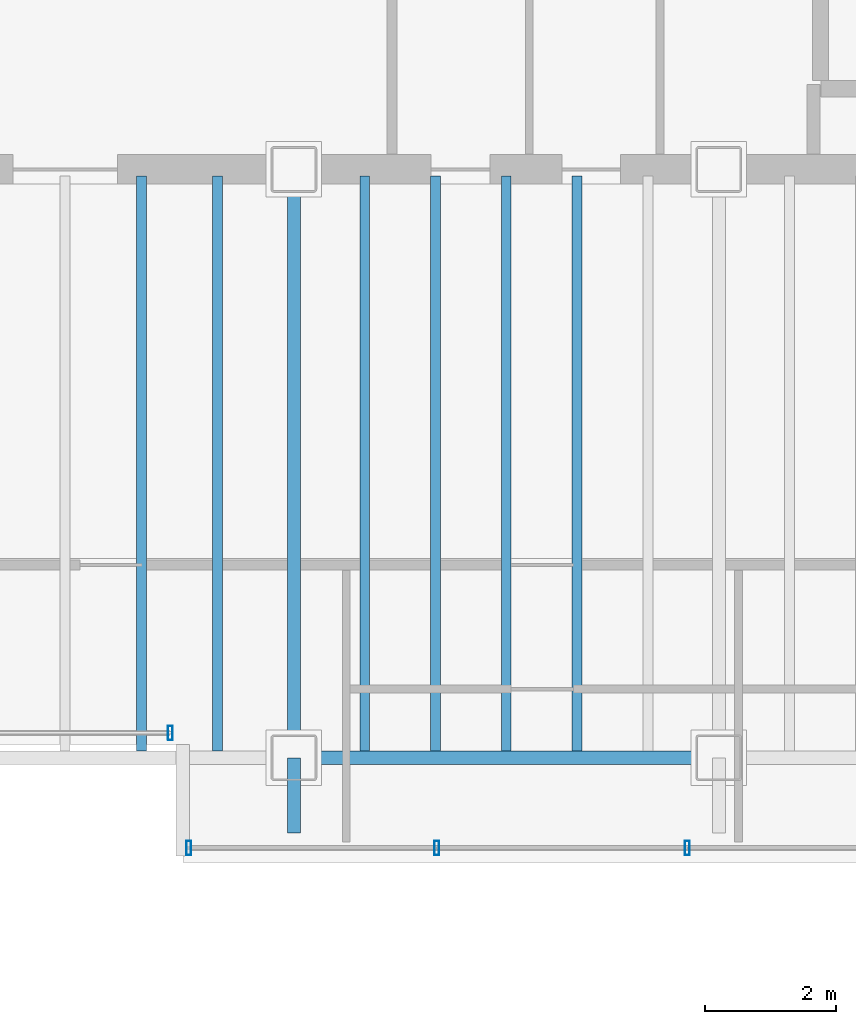
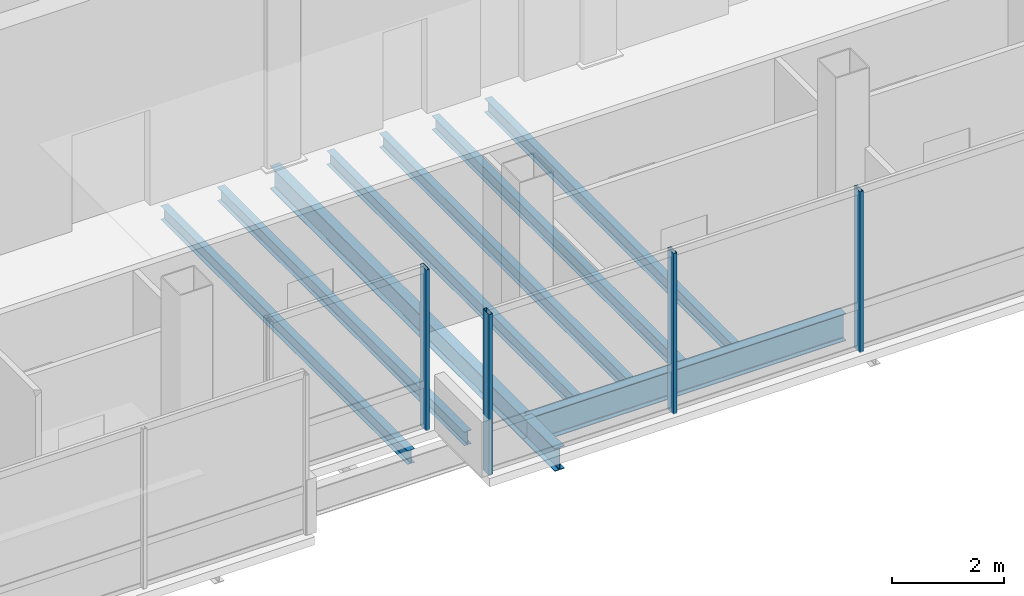
# One storey, part 6 of 17: 9 beams, 4 members, 2 elements without a shape of their own.
"""IFC4 building model written with IfcOpenShell, lengths in metres."""

from ifc_helpers import new_model, si_unit, direction, frame, origin, origin_2d, place, context, subcontext, project, spatial, hollow_rectangle, i_section, extrude, material, material_profile, profile_set, type_object, element, aggregate, save


model = new_model("IFC4")

# Units and contexts
model_context = context("Model", 3, precision=1e-05, world=origin(), true_north=direction((0.0, 1.0)))
body_context = subcontext(model_context, "Body", "Model", "MODEL_VIEW")
ifc_project = project(units=[si_unit("LENGTHUNIT", "METRE"), si_unit("AREAUNIT", "SQUARE_METRE"), si_unit("VOLUMEUNIT", "CUBIC_METRE"), si_unit("PLANEANGLEUNIT", "RADIAN"), si_unit("MASSUNIT", "GRAM", prefix="KILO")], contexts=[model_context])

# Site, building, storey
site_placement = place(None, origin())
site = spatial("IfcSite", under=ifc_project, at=site_placement, CompositionType="ELEMENT")
building_placement = place(site_placement, origin())
building = spatial("IfcBuilding", under=site, at=building_placement, Name="Noeulbin Bourse Tower", CompositionType="ELEMENT")
storey_placement = place(building_placement, frame((0.0, 0.0, 300.800048828125)))
storey = spatial("IfcBuildingStorey", under=building, at=storey_placement, Name="L75", CompositionType="ELEMENT", Elevation=300.800048828125)

# Beams
ifc_material_1 = material(Name="Steel S355", Category="steel")
ifc_material_profile_1 = material_profile(ifc_material_1, i_section(OverallWidth=0.199951171875, OverallDepth=0.5, WebThickness=0.010009765625, FlangeThickness=0.01611328125, FilletRadius=0.02001953125, at=origin_2d()), Name="H-500x200x10x16", Category="LoadBearing")
ifc_profile_set_1 = profile_set([ifc_material_profile_1], Name="Steel S355")
beam_type_1 = type_object("IfcBeamType", Name="BM-GRD-500", PredefinedType="USERDEFINED", material=ifc_profile_set_1)
beam_1_placement = place(storey_placement, frame((31.0, 18.85009765625, -0.429931640625), z_axis=(0.0, 1.0, 0.0), x_axis=(-1.0, 0.0, 0.0)))
element("IfcBeam", 1, at=beam_1_placement, inside=storey, type_object=beam_type_1, Name="Tower Primary Girder NS L75-3.1", ObjectType="GIRDER", PredefinedType="USERDEFINED", context=body_context, shape_type="SweptSolid", body=[
    extrude(i_section(OverallWidth=0.199951171875, OverallDepth=0.5, WebThickness=0.010009765625, FlangeThickness=0.01611328125, FilletRadius=0.02001953125, at=origin_2d()), origin(), (0.0, 0.0, 1.0), 1.14990234375),
])
beam_2_placement = place(storey_placement, frame((31.0, 20.0, -0.429931640625), z_axis=(0.0, 1.0, 0.0), x_axis=(-1.0, 0.0, 0.0)))
element("IfcBeam", 2, at=beam_2_placement, inside=storey, type_object=beam_type_1, Name="Tower Primary Girder NS L75-3.2", ObjectType="GIRDER", PredefinedType="USERDEFINED", context=body_context, shape_type="SweptSolid", body=[
    extrude(i_section(OverallWidth=0.199951171875, OverallDepth=0.5, WebThickness=0.010009765625, FlangeThickness=0.01611328125, FilletRadius=0.02001953125, at=origin_2d()), origin(), (0.0, 0.0, 1.0), 9.0),
])
ifc_material_profile_2 = material_profile(ifc_material_1, i_section(OverallWidth=0.199951171875, OverallDepth=0.60009765625, WebThickness=0.010986328125, FlangeThickness=0.01708984375, FilletRadius=0.02197265625, at=origin_2d()), Name="H-600x200x11x17", Category="LoadBearing")
ifc_profile_set_2 = profile_set([ifc_material_profile_2], Name="Steel S355")
beam_type_2 = type_object("IfcBeamType", Name="BM-GRD-600", PredefinedType="USERDEFINED", material=ifc_profile_set_2)
beam_3_placement = place(storey_placement, frame((31.0, 20.0, -0.47998046875), z_axis=(1.0, 0.0, 0.0), x_axis=(0.0, 1.0, 0.0)))
element("IfcBeam", 3, at=beam_3_placement, inside=storey, type_object=beam_type_2, Name="Tower Primary Girder EW L75-1.2", ObjectType="GIRDER", PredefinedType="USERDEFINED", context=body_context, shape_type="SweptSolid", body=[
    extrude(i_section(OverallWidth=0.199951171875, OverallDepth=0.60009765625, WebThickness=0.010986328125, FlangeThickness=0.01708984375, FilletRadius=0.02197265625, at=origin_2d()), origin(), (0.0, 0.0, 1.0), 6.5),
])
ifc_material_profile_3 = material_profile(ifc_material_1, i_section(OverallWidth=0.14990234375, OverallDepth=0.300048828125, WebThickness=0.006591796875, FlangeThickness=0.009033203125, FilletRadius=0.012939453125, at=origin_2d()), Name="H-300x150x6.5x9", Category="LoadBearing")
ifc_profile_set_3 = profile_set([ifc_material_profile_3], Name="Steel S355")
beam_type_3 = type_object("IfcBeamType", Name="BM-JST-300", PredefinedType="JOIST", material=ifc_profile_set_3)
for number, where, z_axis, x_axis, name in (
    (4, (28.666748046875, 20.10009765625, -0.330078125), (0.0, 1.0, 0.0), (-1.0, 0.0, 0.0), "Tower Composite Joist L75-07"),
    (5, (29.833251953125, 20.10009765625, -0.330078125), (0.0, 1.0, 0.0), (-1.0, 0.0, 0.0), "Tower Composite Joist L75-09"),
    (6, (32.083251953125, 20.10009765625, -0.330078125), (0.0, 1.0, 0.0), (-1.0, 0.0, 0.0), "Tower Composite Joist L75-11"),
    (7, (33.166748046875, 20.10009765625, -0.330078125), (0.0, 1.0, 0.0), (-1.0, 0.0, 0.0), "Tower Composite Joist L75-13"),
    (8, (34.25, 20.10009765625, -0.330078125), (0.0, 1.0, 0.0), (-1.0, 0.0, 0.0), "Tower Composite Joist L75-15"),
    (9, (35.333251953125, 20.10009765625, -0.330078125), (0.0, 1.0, 0.0), (-1.0, 0.0, 0.0), "Tower Composite Joist L75-17"),
):
    element("IfcBeam", number, at=place(storey_placement, frame(where, z_axis=z_axis, x_axis=x_axis)), inside=storey, type_object=beam_type_3, Name=name, PredefinedType="JOIST", context=body_context, shape_type="SweptSolid", body=[
        extrude(i_section(OverallWidth=0.14990234375, OverallDepth=0.300048828125, WebThickness=0.006591796875, FlangeThickness=0.009033203125, FilletRadius=0.012939453125, at=origin_2d()), origin(), (0.0, 0.0, 1.0), 8.7998046875),
    ])

# Curtain wall, member
ifc_material_2 = material(Name="High-Selectivity Low-Iron Glazing", Category="glass")
curtain_wall_type = type_object("IfcCurtainWallType", Name="CW-SYS-4", PredefinedType="NOTDEFINED", material=ifc_material_2)
curtain_wall_1_placement = place(storey_placement, origin())
curtain_wall_1 = element("IfcCurtainWall", 10, at=curtain_wall_1_placement, inside=storey, type_object=curtain_wall_type, Name="Unitised Curtain Wall CW-L75-SREC", PredefinedType="NOTDEFINED")
ifc_material_3 = material(Name="Anodised Aluminium 6063-T6", Category="aluminium")
ifc_material_profile_4 = material_profile(ifc_material_3, hollow_rectangle(XDim=0.074951171875, YDim=0.219970703125, WallThickness=0.0048828125, InnerFilletRadius=0.00244140625, OuterFilletRadius=0.0048828125, at=origin_2d()), Name="ALU-MULL-75x220x5", Category="LoadBearing")
ifc_profile_set_4 = profile_set([ifc_material_profile_4], Name="Anodised Aluminium 6063-T6")
member_type = type_object("IfcMemberType", Name="CW-SYS-4-MUL", PredefinedType="MULLION", material=ifc_profile_set_4)
member_1_placement = place(storey_placement, frame((29.110107421875, 20.3798828125, -0.02001953125), z_axis=(0.0, 0.0, 1.0), x_axis=(1.0, 0.0, 0.0)))
member_1 = element("IfcMember", 11, at=member_1_placement, type_object=member_type, Name="Curtain Wall Mullion CW-L75-SREC-M01", PredefinedType="MULLION", context=body_context, shape_type="SweptSolid", body=[
    extrude(hollow_rectangle(XDim=0.074951171875, YDim=0.219970703125, WallThickness=0.0048828125, InnerFilletRadius=0.00244140625, OuterFilletRadius=0.0048828125, at=origin_2d()), origin(), (0.0, 0.0, 1.0), 3.5),
])
aggregate(curtain_wall_1, [member_1])

# Curtain wall, members
curtain_wall_2_placement = place(storey_placement, origin())
curtain_wall_2 = element("IfcCurtainWall", 12, at=curtain_wall_2_placement, inside=storey, type_object=curtain_wall_type, Name="Unitised Curtain Wall CW-L75-S2", PredefinedType="NOTDEFINED")
member_2_placement = place(storey_placement, frame((29.389892578125, 18.6201171875, -0.02001953125), z_axis=(0.0, 0.0, 1.0), x_axis=(1.0, 0.0, 0.0)))
member_2 = element("IfcMember", 13, at=member_2_placement, type_object=member_type, Name="Curtain Wall Mullion CW-L75-S2-M00", PredefinedType="MULLION", context=body_context, shape_type="SweptSolid", body=[
    extrude(hollow_rectangle(XDim=0.074951171875, YDim=0.219970703125, WallThickness=0.0048828125, InnerFilletRadius=0.00244140625, OuterFilletRadius=0.0048828125, at=origin_2d()), origin(), (0.0, 0.0, 1.0), 3.5),
])
member_3_placement = place(storey_placement, frame((33.18408203125, 18.6201171875, -0.02001953125), z_axis=(0.0, 0.0, 1.0), x_axis=(1.0, 0.0, 0.0)))
member_3 = element("IfcMember", 14, at=member_3_placement, type_object=member_type, Name="Curtain Wall Mullion CW-L75-S2-M01", PredefinedType="MULLION", context=body_context, shape_type="SweptSolid", body=[
    extrude(hollow_rectangle(XDim=0.074951171875, YDim=0.219970703125, WallThickness=0.0048828125, InnerFilletRadius=0.00244140625, OuterFilletRadius=0.0048828125, at=origin_2d()), origin(), (0.0, 0.0, 1.0), 3.5),
])
member_4_placement = place(storey_placement, frame((37.01806640625, 18.6201171875, -0.02001953125), z_axis=(0.0, 0.0, 1.0), x_axis=(1.0, 0.0, 0.0)))
member_4 = element("IfcMember", 15, at=member_4_placement, type_object=member_type, Name="Curtain Wall Mullion CW-L75-S2-M02", PredefinedType="MULLION", context=body_context, shape_type="SweptSolid", body=[
    extrude(hollow_rectangle(XDim=0.074951171875, YDim=0.219970703125, WallThickness=0.0048828125, InnerFilletRadius=0.00244140625, OuterFilletRadius=0.0048828125, at=origin_2d()), origin(), (0.0, 0.0, 1.0), 3.5),
])
aggregate(curtain_wall_2, [member_2, member_3, member_4])

save(model, "model.ifc")
